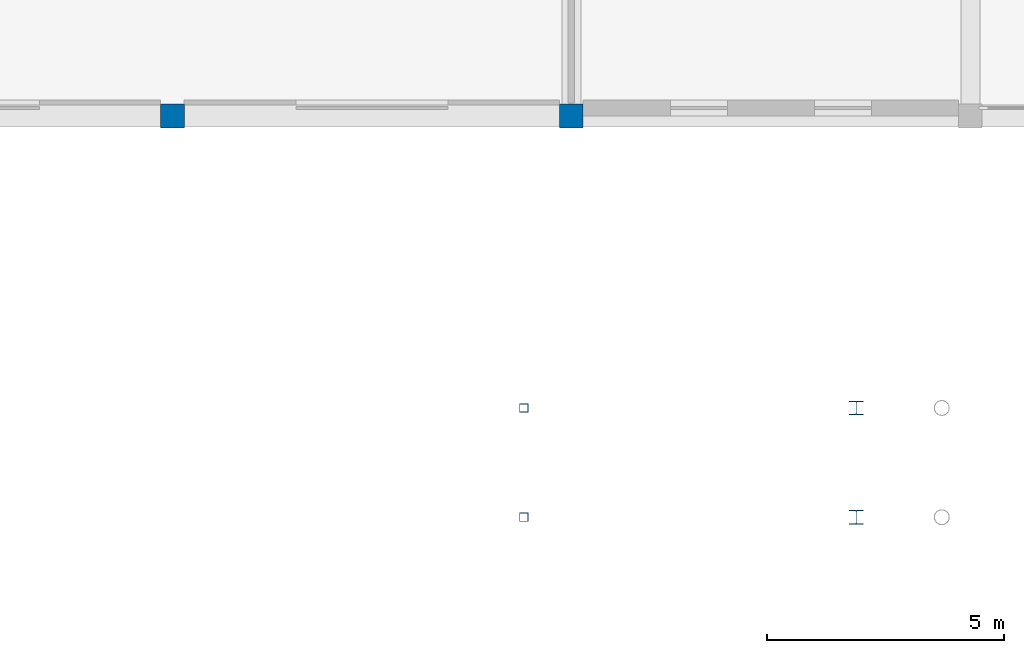
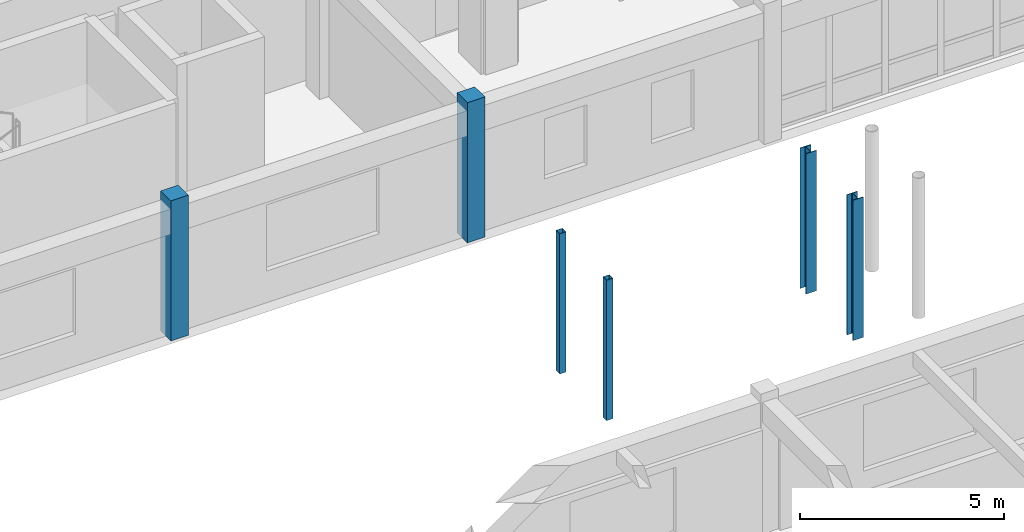
# One storey, part 7 of 90: 6 columns.
"""IFC4 building model written with IfcOpenShell, lengths in metres."""

from ifc_helpers import new_model, si_unit, direction, frame, origin, origin_2d, place, context, subcontext, project, spatial, rectangle, hollow_rectangle, i_section, extrude, material, material_profile, profile_set, type_object, element, save


model = new_model("IFC4")

# Units and contexts
model_context = context("Model", 3, precision=1e-05, world=origin(), true_north=direction((0.0, 1.0)))
body_context = subcontext(model_context, "Body", "Model", "MODEL_VIEW")
ifc_project = project(units=[si_unit("LENGTHUNIT", "METRE"), si_unit("AREAUNIT", "SQUARE_METRE"), si_unit("VOLUMEUNIT", "CUBIC_METRE"), si_unit("PLANEANGLEUNIT", "RADIAN"), si_unit("MASSUNIT", "GRAM", prefix="KILO")], contexts=[model_context])

# Site, building, storey
site_placement = place(None, origin())
site = spatial("IfcSite", under=ifc_project, at=site_placement, CompositionType="ELEMENT")
building_placement = place(site_placement, origin())
building = spatial("IfcBuilding", under=site, at=building_placement, Name="Malvenik Polytechnic", CompositionType="ELEMENT")
storey_placement = place(building_placement, frame((0.0, 0.0, 9.300048828125)))
storey = spatial("IfcBuildingStorey", under=building, at=storey_placement, Name="L02", CompositionType="ELEMENT", Elevation=9.300048828125)

# Columns
ifc_material_1 = material(Name="Concrete C35/45", Category="concrete")
ifc_material_profile_1 = material_profile(ifc_material_1, rectangle(XDim=0.5, YDim=0.5, at=origin_2d()), Name="RC COL 500x500")
ifc_profile_set_1 = profile_set([ifc_material_profile_1], Name="Concrete C35/45")
column_type_1 = type_object("IfcColumnType", Name="STR-COL-C-08", PredefinedType="COLUMN", material=ifc_profile_set_1)
for number, where, z_axis, x_axis, name in (
    (1, (16.800048828125, 79.199951171875, 0.0), (0.0, 0.0, 1.0), (1.0, 0.0, 0.0), "Column C-08 L02 (16.8,79.2)"),
    (2, (25.199951171875, 79.199951171875, 0.0), (0.0, 0.0, 1.0), (1.0, 0.0, 0.0), "Column C-08 L02 (25.2,79.2)"),
):
    element("IfcColumn", number, at=place(storey_placement, frame(where, z_axis=z_axis, x_axis=x_axis)), inside=storey, type_object=column_type_1, Name=name, PredefinedType="COLUMN", context=body_context, shape_type="SweptSolid", body=[
        extrude(rectangle(XDim=0.5, YDim=0.5, at=origin_2d()), origin(), (0.0, 0.0, 1.0), 4.199951171875),
    ])
ifc_material_2 = material(Name="Steel S355", Category="steel")
ifc_material_profile_2 = material_profile(ifc_material_2, i_section(OverallWidth=0.300048828125, OverallDepth=0.300048828125, WebThickness=0.010986328125, FlangeThickness=0.01904296875, FilletRadius=0.027099609375, at=origin_2d()), Name="HEB 300")
ifc_profile_set_2 = profile_set([ifc_material_profile_2], Name="Steel S355")
column_type_2 = type_object("IfcColumnType", Name="STR-SCOL-SC-05", PredefinedType="COLUMN", material=ifc_profile_set_2)
for number, where, z_axis, x_axis, name in (
    (3, (31.199951171875, 70.75, 0.0), (0.0, 0.0, 1.0), (1.0, 0.0, 0.0), "Bridge-Ramp Support Column SC-05 L02"),
    (4, (31.199951171875, 73.050048828125, 0.0), (0.0, 0.0, 1.0), (1.0, 0.0, 0.0), "Bridge-Ramp Support Column SC-05 L02"),
):
    element("IfcColumn", number, at=place(storey_placement, frame(where, z_axis=z_axis, x_axis=x_axis)), inside=storey, type_object=column_type_2, Name=name, PredefinedType="COLUMN", context=body_context, shape_type="SweptSolid", body=[
        extrude(i_section(OverallWidth=0.300048828125, OverallDepth=0.300048828125, WebThickness=0.010986328125, FlangeThickness=0.01904296875, FilletRadius=0.027099609375, at=origin_2d()), origin(), (0.0, 0.0, 1.0), 4.199951171875),
    ])
ifc_material_3 = material(Name="Steel S355J2H", Category="steel")
ifc_material_profile_3 = material_profile(ifc_material_3, hollow_rectangle(XDim=0.179931640625, YDim=0.179931640625, WallThickness=0.008056640625, at=origin_2d()), Name="SHS 180x180x8.0")
ifc_profile_set_3 = profile_set([ifc_material_profile_3], Name="Steel S355J2H")
column_type_3 = type_object("IfcColumnType", Name="STR-SCOL-SC-06", PredefinedType="COLUMN", material=ifc_profile_set_3)
for number, where, z_axis, x_axis, name in (
    (5, (24.199951171875, 70.75, 0.0), (0.0, 0.0, 1.0), (1.0, 0.0, 0.0), "Bridge-Ramp Support Column SC-06 L02"),
    (6, (24.199951171875, 73.050048828125, 0.0), (0.0, 0.0, 1.0), (1.0, 0.0, 0.0), "Bridge-Ramp Support Column SC-06 L02"),
):
    element("IfcColumn", number, at=place(storey_placement, frame(where, z_axis=z_axis, x_axis=x_axis)), inside=storey, type_object=column_type_3, Name=name, PredefinedType="COLUMN", context=body_context, shape_type="SweptSolid", body=[
        extrude(hollow_rectangle(XDim=0.179931640625, YDim=0.179931640625, WallThickness=0.008056640625, at=origin_2d()), origin(), (0.0, 0.0, 1.0), 4.199951171875),
    ])

save(model, "model.ifc")
